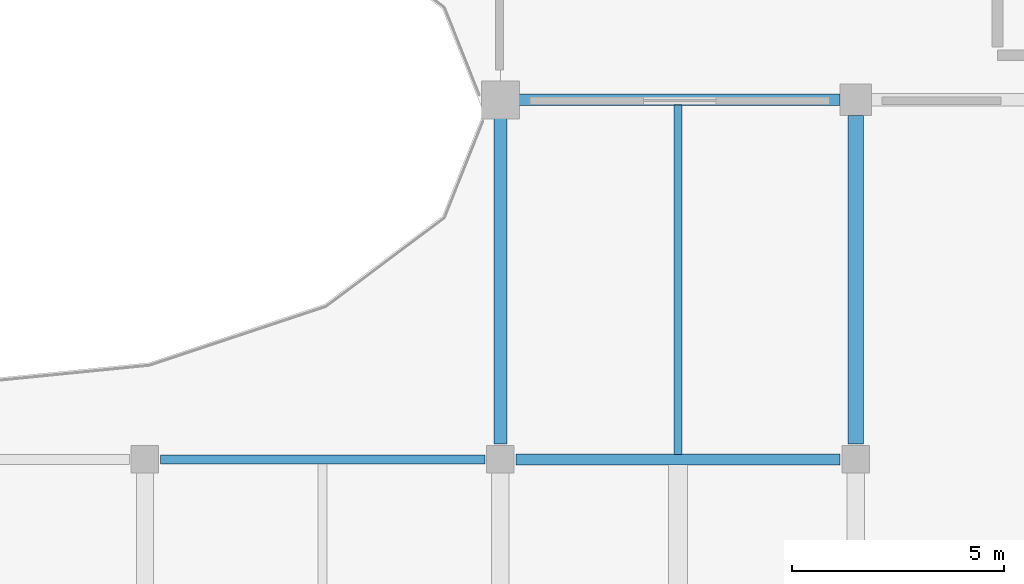
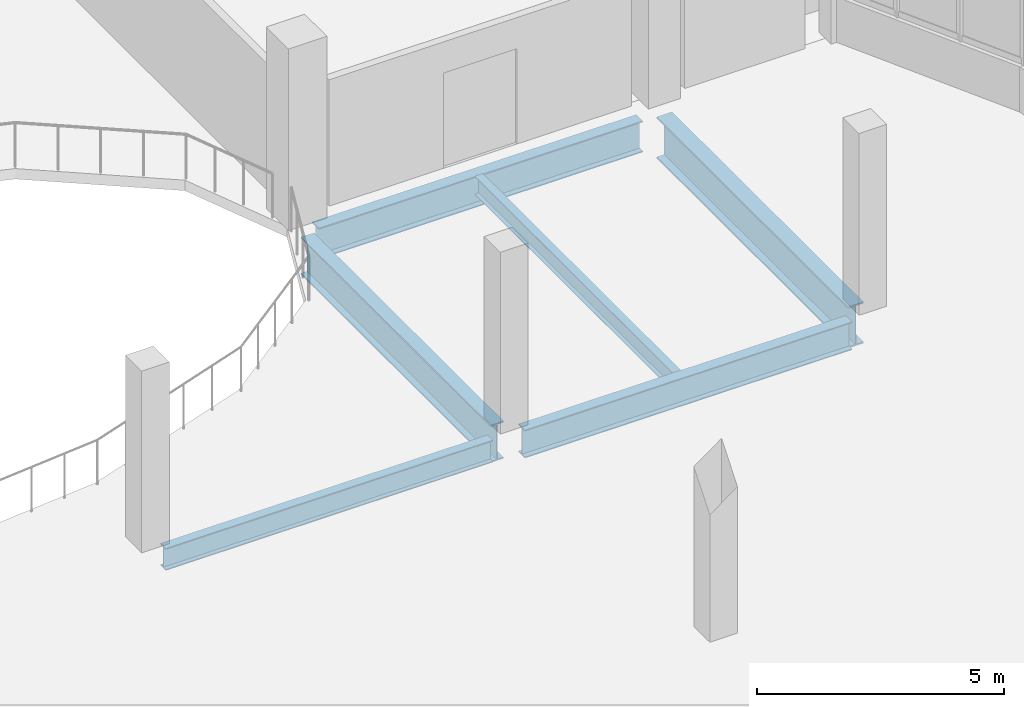
# One storey, part 24 of 50: 6 beams.
"""IFC4 building model written with IfcOpenShell, lengths in metres."""

from ifc_helpers import new_model, si_unit, direction, frame, origin, origin_2d, place, context, subcontext, project, spatial, i_section, extrude, material, material_profile, profile_set, type_object, element, save


model = new_model("IFC4")

# Units and contexts
model_context = context("Model", 3, precision=1e-05, world=origin(), true_north=direction((0.0, 1.0)))
body_context = subcontext(model_context, "Body", "Model", "MODEL_VIEW")
ifc_project = project(units=[si_unit("LENGTHUNIT", "METRE"), si_unit("AREAUNIT", "SQUARE_METRE"), si_unit("VOLUMEUNIT", "CUBIC_METRE"), si_unit("PLANEANGLEUNIT", "RADIAN"), si_unit("MASSUNIT", "GRAM", prefix="KILO")], contexts=[model_context])

# Site, building, storey
site_placement = place(None, origin())
site = spatial("IfcSite", under=ifc_project, at=site_placement, CompositionType="ELEMENT")
building_placement = place(site_placement, origin())
building = spatial("IfcBuilding", under=site, at=building_placement, Name="Solvento Point Concert Hall", CompositionType="ELEMENT")
storey_placement = place(building_placement, frame((0.0, 0.0, 15.0)))
storey = spatial("IfcBuildingStorey", under=building, at=storey_placement, Name="L03", CompositionType="ELEMENT", Elevation=15.0)

# Beams
ifc_material_1 = material(Name="Structural Steel ASTM A992 Grade 50", Category="steel")
ifc_material_profile_1 = material_profile(ifc_material_1, i_section(OverallWidth=0.214111328125, OverallDepth=0.549072265625, WebThickness=0.0146484375, FlangeThickness=0.023681640625, at=origin_2d()), Name="W21X93")
ifc_profile_set_1 = profile_set([ifc_material_profile_1], Name="Structural Steel ASTM A992 Grade 50")
beam_type_1 = type_object("IfcBeamType", Name="Beam_W21X93", PredefinedType="BEAM", material=ifc_profile_set_1)
beam_1_placement = place(storey_placement, frame((66.368896484375, 34.0, -0.53857421875), z_axis=(1.0, 0.0, 0.0), x_axis=(0.0, 1.0, 0.0)))
element("IfcBeam", 1, at=beam_1_placement, inside=storey, type_object=beam_type_1, Name="Primary girder B-48 L03", PredefinedType="BEAM", context=body_context, shape_type="SweptSolid", body=[
    extrude(i_section(OverallWidth=0.214111328125, OverallDepth=0.549072265625, WebThickness=0.0146484375, FlangeThickness=0.023681640625, at=origin_2d()), origin(), (0.0, 0.0, 1.0), 7.662109375),
])
ifc_material_2 = material(Name="Structural Steel ASTM A992 Grade 50", Category="steel")
ifc_material_profile_2 = material_profile(ifc_material_2, i_section(OverallWidth=0.256103515625, OverallDepth=0.693115234375, WebThickness=0.014404296875, FlangeThickness=0.023681640625, at=origin_2d()), Name="W27X114")
ifc_profile_set_2 = profile_set([ifc_material_profile_2], Name="Structural Steel ASTM A992 Grade 50")
beam_type_2 = type_object("IfcBeamType", Name="Girder_W27X114", PredefinedType="USERDEFINED", material=ifc_profile_set_2)
beam_2_placement = place(storey_placement, frame((74.76904296875, 34.0, -0.610595703125), z_axis=(1.0, 0.0, 0.0), x_axis=(0.0, 1.0, 0.0)))
element("IfcBeam", 2, at=beam_2_placement, inside=storey, type_object=beam_type_2, Name="Primary girder B-23 L03", ObjectType="GIRDER", PredefinedType="USERDEFINED", context=body_context, shape_type="SweptSolid", body=[
    extrude(i_section(OverallWidth=0.256103515625, OverallDepth=0.693115234375, WebThickness=0.014404296875, FlangeThickness=0.023681640625, at=origin_2d()), origin(), (0.0, 0.0, 1.0), 7.661865234375),
])
ifc_material_3 = material(Name="Structural Steel ASTM A992 Grade 50", Category="steel")
ifc_material_profile_3 = material_profile(ifc_material_3, i_section(OverallWidth=0.26806640625, OverallDepth=0.77001953125, WebThickness=0.015625, FlangeThickness=0.025390625, at=origin_2d()), Name="W30X132")
ifc_profile_set_3 = profile_set([ifc_material_profile_3], Name="Structural Steel ASTM A992 Grade 50")
beam_type_3 = type_object("IfcBeamType", Name="Girder_W30X132", PredefinedType="USERDEFINED", material=ifc_profile_set_3)
beam_3_placement = place(storey_placement, frame((74.843994140625, 42.5, -0.8291015625), z_axis=(1.0, 0.0, 0.0), x_axis=(0.0, 1.0, 0.0)))
element("IfcBeam", 3, at=beam_3_placement, inside=storey, type_object=beam_type_3, Name="Primary girder B-68 L03", ObjectType="GIRDER", PredefinedType="USERDEFINED", context=body_context, shape_type="SweptSolid", body=[
    extrude(i_section(OverallWidth=0.26806640625, OverallDepth=0.77001953125, WebThickness=0.015625, FlangeThickness=0.025390625, at=origin_2d()), origin(), (0.0, 0.0, 1.0), 7.5869140625),
])
ifc_material_4 = material(Name="Structural Steel ASTM A992 Grade 50", Category="steel")
ifc_material_profile_4 = material_profile(ifc_material_4, i_section(OverallWidth=0.3076171875, OverallDepth=0.927001953125, WebThickness=0.019287109375, FlangeThickness=0.031982421875, at=origin_2d()), Name="W36X194")
ifc_profile_set_4 = profile_set([ifc_material_profile_4], Name="Structural Steel ASTM A992 Grade 50")
beam_type_4 = type_object("IfcBeamType", Name="Girder_W36X194", PredefinedType="USERDEFINED", material=ifc_profile_set_4)
beam_4_placement = place(storey_placement, frame((74.39990234375, 34.368896484375, -0.7275390625), z_axis=(0.0, 1.0, 0.0), x_axis=(-1.0, 0.0, 0.0)))
element("IfcBeam", 4, at=beam_4_placement, inside=storey, type_object=beam_type_4, Name="Primary girder B-61 L03", ObjectType="GIRDER", PredefinedType="USERDEFINED", context=body_context, shape_type="SweptSolid", body=[
    extrude(i_section(OverallWidth=0.3076171875, OverallDepth=0.927001953125, WebThickness=0.019287109375, FlangeThickness=0.031982421875, at=origin_2d()), origin(), (0.0, 0.0, 1.0), 7.68701171875),
])
ifc_material_5 = material(Name="Structural Steel ASTM A992 Grade 50", Category="steel")
ifc_material_profile_5 = material_profile(ifc_material_5, i_section(OverallWidth=0.361083984375, OverallDepth=1.02587890625, WebThickness=0.01904296875, FlangeThickness=0.0361328125, at=origin_2d()), Name="W40X249")
ifc_profile_set_5 = profile_set([ifc_material_profile_5], Name="Structural Steel ASTM A992 Grade 50")
beam_type_5 = type_object("IfcBeamType", Name="Girder_W40X249", PredefinedType="USERDEFINED", material=ifc_profile_set_5)
beam_5_placement = place(storey_placement, frame((82.800048828125, 34.368896484375, -0.777099609375), z_axis=(0.0, 1.0, 0.0), x_axis=(-1.0, 0.0, 0.0)))
element("IfcBeam", 5, at=beam_5_placement, inside=storey, type_object=beam_type_5, Name="Primary girder B-29 L03", ObjectType="GIRDER", PredefinedType="USERDEFINED", context=body_context, shape_type="SweptSolid", body=[
    extrude(i_section(OverallWidth=0.361083984375, OverallDepth=1.02587890625, WebThickness=0.01904296875, FlangeThickness=0.0361328125, at=origin_2d()), origin(), (0.0, 0.0, 1.0), 7.76220703125),
])
ifc_material_6 = material(Name="Structural Steel ASTM A992 Grade 50", Category="steel")
ifc_material_profile_6 = material_profile(ifc_material_6, i_section(OverallWidth=0.1904296875, OverallDepth=0.45703125, WebThickness=0.009033203125, FlangeThickness=0.014404296875, at=origin_2d()), Name="W18X50")
ifc_profile_set_6 = profile_set([ifc_material_profile_6], Name="Structural Steel ASTM A992 Grade 50")
beam_type_6 = type_object("IfcBeamType", Name="Joist_W18X50", PredefinedType="JOIST", material=ifc_profile_set_6)
beam_6_placement = place(storey_placement, frame((78.60009765625, 34.113037109375, -0.672607421875), z_axis=(0.0, 1.0, 0.0), x_axis=(-1.0, 0.0, 0.0)))
element("IfcBeam", 6, at=beam_6_placement, inside=storey, type_object=beam_type_6, Name="Secondary floor joist B-66 L03", PredefinedType="JOIST", context=body_context, shape_type="SweptSolid", body=[
    extrude(i_section(OverallWidth=0.1904296875, OverallDepth=0.45703125, WebThickness=0.009033203125, FlangeThickness=0.014404296875, at=origin_2d()), origin(), (0.0, 0.0, 1.0), 8.26806640625),
])

save(model, "model.ifc")
